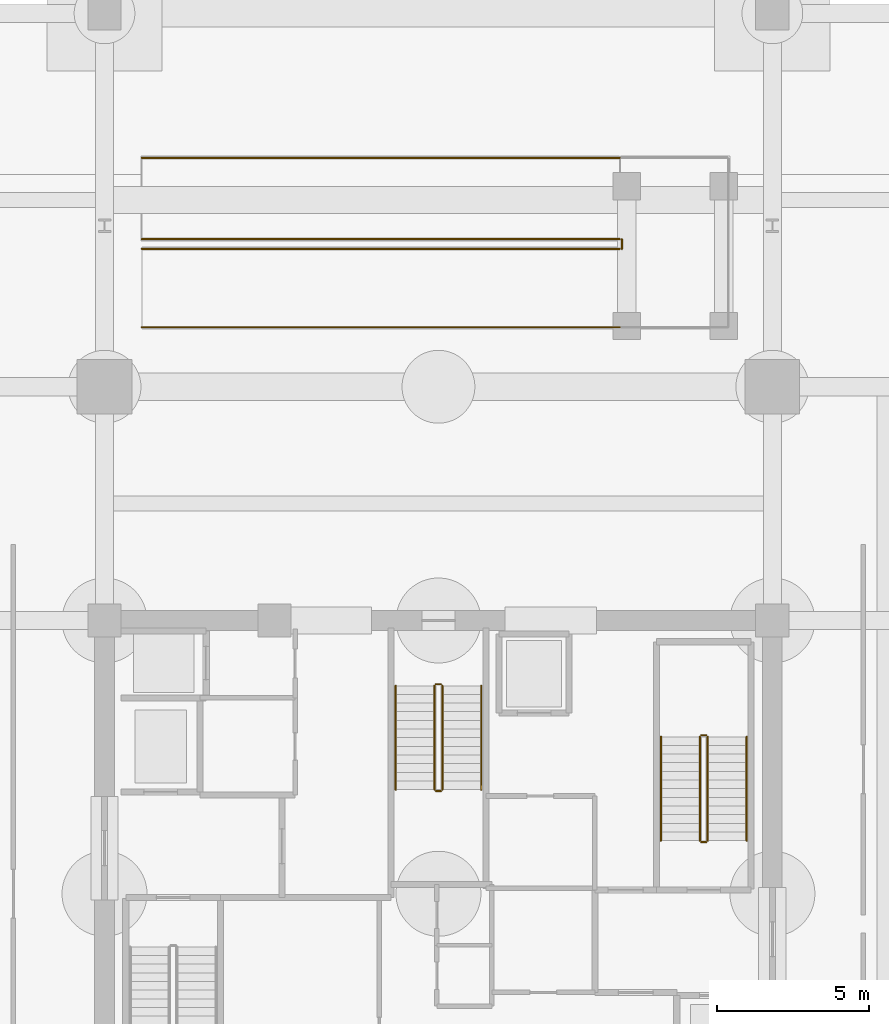
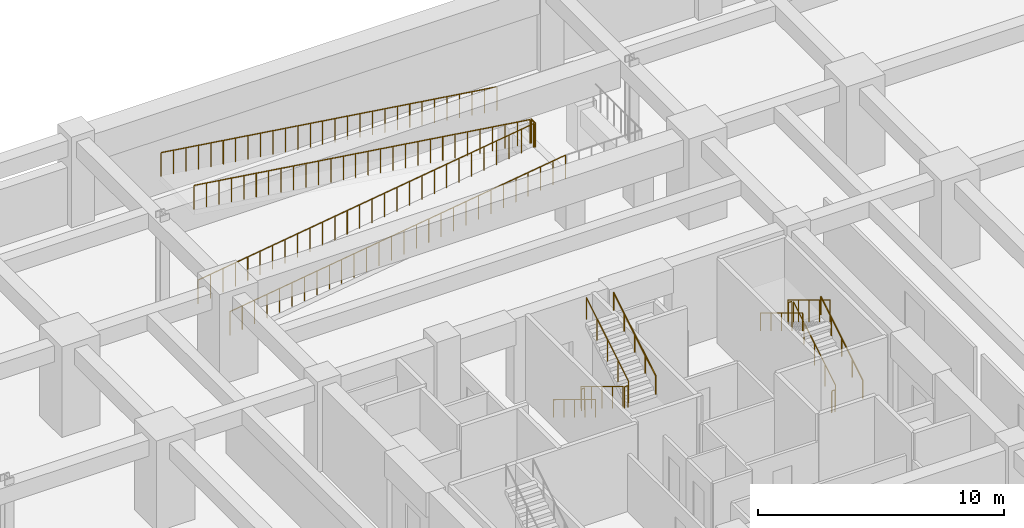
# One storey, part 14 of 17: 17 railings.
"""IFC4 building model written with IfcOpenShell, lengths in metres."""

import ifcopenshell
import ifcopenshell.guid

model = None  # the IFC model being written
_history = None  # IfcOwnerHistory: only IFC2X3 demands one
_inside = {}  # id of a spatial element -> (the spatial element, [elements in it])
_under = {}  # id of a project, library or spatial element -> (it, [spatial elements below it])
_declared = {}  # id of a project -> (the project, [libraries it declares])
_typed = {}  # id of a type object -> (the type object, [elements of that type])
_made_of = {}  # id of a material, layer set ... -> (it, [elements and type objects made of it])


def new_model(schema):
    """Start an empty IFC model of exactly this schema.

    Asked for "IFC4X3", IfcOpenShell would pick the latest addendum, in which some entities
    have other attributes; the version numbers below select the first issue.
    IFC2X3 requires an IfcOwnerHistory on every rooted entity: one is made here for all.
    """
    global model, _history
    if schema == "IFC4X3":
        model = ifcopenshell.file(schema_version=(4, 3, 0, 0))
    else:
        model = ifcopenshell.file(schema=schema)
    _inside.clear()
    _under.clear()
    _declared.clear()
    _typed.clear()
    _made_of.clear()
    _history = None
    if model.schema == "IFC2X3":
        org = make("IfcOrganization", Name="unknown")
        user = make(
            "IfcPersonAndOrganization",
            ThePerson=make("IfcPerson", FamilyName="unknown"),
            TheOrganization=org,
        )
        app = make(
            "IfcApplication",
            ApplicationDeveloper=org,
            Version="unknown",
            ApplicationFullName="unknown",
            ApplicationIdentifier="unknown",
        )
        _history = make(
            "IfcOwnerHistory",
            OwningUser=user,
            OwningApplication=app,
            ChangeAction="ADDED",
            CreationDate=0,
        )
    return model


def make(cls, **values):
    """One entity of the class cls with the attributes given. An attribute that is None is left unset."""
    return model.create_entity(
        cls, **{name: value for name, value in values.items() if value is not None}
    )


def rooted(cls, **values):
    """An entity with a GlobalId (a new one), such as an element, a storey or a relation."""
    return make(cls, GlobalId=ifcopenshell.guid.new(), OwnerHistory=_history, **values)


def si_unit(unit_type, name, prefix=None):
    """IfcSIUnit, for example si_unit("LENGTHUNIT", "METRE", prefix="MILLI")."""
    return make("IfcSIUnit", UnitType=unit_type, Prefix=prefix, Name=name)


def assignment(units):
    """IfcUnitAssignment: the units of a project."""
    return None if units is None else make("IfcUnitAssignment", Units=units)


def point(xyz):
    """IfcCartesianPoint."""
    return None if xyz is None else make("IfcCartesianPoint", Coordinates=xyz)


def direction(xyz):
    """IfcDirection."""
    return None if xyz is None else make("IfcDirection", DirectionRatios=xyz)


def frame(location, z_axis=None, x_axis=None):
    """IfcAxis2Placement3D, a coordinate frame: its origin and axes. An axis left out is left unset."""
    return make(
        "IfcAxis2Placement3D",
        Location=point(location),
        Axis=direction(z_axis),
        RefDirection=direction(x_axis),
    )


def frame_2d(location, x_axis=None):
    """IfcAxis2Placement2D, a coordinate frame in the plane: its origin and x axis."""
    return make(
        "IfcAxis2Placement2D", Location=point(location), RefDirection=direction(x_axis)
    )


def origin():
    """The frame at (0, 0, 0) with its axes left unset."""
    return frame((0.0, 0.0, 0.0))


def origin_2d():
    """The frame at (0, 0) in the plane with its x axis left unset."""
    return frame_2d((0.0, 0.0))


def place(relative_to, where):
    """IfcLocalPlacement: puts the frame where relative to a parent placement (None: the world)."""
    return make(
        "IfcLocalPlacement", PlacementRelTo=relative_to, RelativePlacement=where
    )


def context(
    kind, dimensions, precision=None, world=None, true_north=None, identifier=None
):
    """IfcGeometricRepresentationContext, for example the 3D "Model" context."""
    return make(
        "IfcGeometricRepresentationContext",
        ContextIdentifier=identifier,
        ContextType=kind,
        CoordinateSpaceDimension=dimensions,
        Precision=precision,
        WorldCoordinateSystem=world,
        TrueNorth=true_north,
    )


def subcontext(parent, identifier, kind, view, scale=None):
    """IfcGeometricRepresentationSubContext, for example "Body" below "Model"."""
    return make(
        "IfcGeometricRepresentationSubContext",
        ContextIdentifier=identifier,
        ContextType=kind,
        ParentContext=parent,
        TargetScale=scale,
        TargetView=view,
    )


def project(units=None, contexts=None):
    """IfcProject with its units and contexts."""
    return rooted(
        "IfcProject",
        Name="project",
        RepresentationContexts=contexts,
        UnitsInContext=assignment(units),
    )


def spatial(cls, under=None, at=None, **own):
    """A site, building, storey or space (cls), placed at a placement, below another one or the project."""
    s = rooted(cls, ObjectPlacement=at, **own)
    if under is not None:
        _under.setdefault(under.id(), (under, []))[1].append(s)
    return s


def profile(cls, at=None, kind="AREA", **sizes):
    """A parametric profile (cls). Its sizes go by their IFC names, for example OverallWidth=200.0."""
    return make(cls, ProfileType=kind, Position=at, **sizes)


def circle(**sizes):
    """IfcCircleProfileDef."""
    return profile("IfcCircleProfileDef", **sizes)


def extrude(swept, where, along, depth):
    """IfcExtrudedAreaSolid: the profile swept, set in the frame where, extruded along a direction by depth."""
    return make(
        "IfcExtrudedAreaSolid",
        SweptArea=swept,
        Position=where,
        ExtrudedDirection=direction(along),
        Depth=depth,
    )


def shape(context_of_items, identifier, shape_type, items):
    """IfcShapeRepresentation: the items that make up one representation, for example the "Body"."""
    return make(
        "IfcShapeRepresentation",
        ContextOfItems=context_of_items,
        RepresentationIdentifier=identifier,
        RepresentationType=shape_type,
        Items=items,
    )


def material(Name=None, Category=None):
    """IfcMaterial."""
    return make("IfcMaterial", Name=Name, Category=Category)


def made_of(thing, what):
    """Note that an element or type object is made of a material, layer set ...; save() writes the relation."""
    if what is not None:
        _made_of.setdefault(what.id(), (what, []))[1].append(thing)
    return thing


def type_object(cls, material=None, **own):
    """A type object (cls), such as IfcWallType, which elements share."""
    return made_of(rooted(cls, **own), material)


def element(
    cls,
    number,
    at=None,
    inside=None,
    cuts=None,
    type_object=None,
    material=None,
    context=None,
    identifier="Body",
    shape_type=None,
    held_by="IfcProductDefinitionShape",
    body=None,
    shapes=None,
    **own,
):
    """One element of the class cls, such as IfcWall. Its Tag is "e" and its number.

    at: its placement. inside: the storey or other place that contains it. cuts: it is an
    opening in that element (IfcRelVoidsElement). A single representation is given by context,
    identifier, shape_type and body (its items); several are given by shapes. held_by: the class
    of the entity that holds the representations. save() writes the other relations.
    """
    e = rooted(cls, Tag="e%d" % number, ObjectPlacement=at, **own)
    if body is not None:
        shapes = [shape(context, identifier, shape_type, body)]
    if shapes is not None:
        e.Representation = make(held_by, Representations=shapes)
    if inside is not None:
        _inside.setdefault(inside.id(), (inside, []))[1].append(e)
    if cuts is not None:
        rooted(
            "IfcRelVoidsElement", RelatingBuildingElement=cuts, RelatedOpeningElement=e
        )
    if type_object is not None:
        _typed.setdefault(type_object.id(), (type_object, []))[1].append(e)
    return made_of(e, material)


def aggregate(whole, parts):
    """IfcRelAggregates: a whole, such as a stair, and the parts it consists of."""
    return rooted("IfcRelAggregates", RelatingObject=whole, RelatedObjects=parts)


def save(model, path):
    """Write the relations noted so far, then the file.

    IfcRelAggregates (storeys below a building ...), IfcRelContainedInSpatialStructure (elements
    in a storey), IfcRelDefinesByType, IfcRelAssociatesMaterial and IfcRelDeclares: one each for
    every whole, place, type object, material and project.
    """
    for whole, parts in _under.values():
        aggregate(whole, parts)
    for where, things in _inside.values():
        rooted(
            "IfcRelContainedInSpatialStructure",
            RelatedElements=things,
            RelatingStructure=where,
        )
    for kind, things in _typed.values():
        rooted("IfcRelDefinesByType", RelatedObjects=things, RelatingType=kind)
    for what, things in _made_of.values():
        rooted("IfcRelAssociatesMaterial", RelatedObjects=things, RelatingMaterial=what)
    for by, libraries in _declared.values():
        rooted("IfcRelDeclares", RelatingContext=by, RelatedDefinitions=libraries)
    model.write(path)


model = new_model("IFC4")

# Units and contexts
model_context = context("Model", 3, precision=1e-05, world=origin(), true_north=direction((0.0, 1.0)))
body_context = subcontext(model_context, "Body", "Model", "MODEL_VIEW")
ifc_project = project(units=[si_unit("LENGTHUNIT", "METRE"), si_unit("AREAUNIT", "SQUARE_METRE"), si_unit("VOLUMEUNIT", "CUBIC_METRE"), si_unit("PLANEANGLEUNIT", "RADIAN"), si_unit("MASSUNIT", "GRAM", prefix="KILO")], contexts=[model_context])

# Site, building, storey
site_placement = place(None, origin())
site = spatial("IfcSite", under=ifc_project, at=site_placement, CompositionType="ELEMENT")
building_placement = place(site_placement, origin())
building = spatial("IfcBuilding", under=site, at=building_placement, Name="Kovane Verandah Tower", CompositionType="ELEMENT")
storey_placement = place(building_placement, frame((0.0, 0.0, -9.0)))
storey = spatial("IfcBuildingStorey", under=building, at=storey_placement, Name="B2", CompositionType="ELEMENT", Elevation=-9.0)

# Railings
ifc_material_1 = material(Name="Pale-Champagne Stainless Steel and Glass Perimeter Guard", Category="steel")
railing_type_1 = type_object("IfcRailingType", Name="RL-GDN-1200", PredefinedType="GUARDRAIL", material=ifc_material_1)
railing_1_placement = place(storey_placement, frame((46.0400390625, 48.739990234375, 2.25)))
element("IfcRailing", 1, at=railing_1_placement, inside=storey, type_object=railing_type_1, Name="B2 Vehicle Ramp Landing Median Guard", PredefinedType="GUARDRAIL", context=body_context, shape_type="SweptSolid", body=[
    extrude(circle(Radius=0.02392578125, at=origin_2d()), frame((0.0, 0.0, 1.17578125), z_axis=(0.0, 1.0, 0.0), x_axis=(-1.0, 0.0, 0.0)), (0.0, 0.0, 1.0), 0.320068359375),
    extrude(circle(Radius=0.02099609375, at=origin_2d()), origin(), (0.0, 0.0, 1.0), 1.15185546875),
    extrude(circle(Radius=0.02099609375, at=origin_2d()), frame((0.0, 0.320068359375, 0.0)), (0.0, 0.0, 1.0), 1.15185546875),
])
railing_2_placement = place(storey_placement, frame((30.22998046875, 46.159912109375, 0.0)))
element("IfcRailing", 2, at=railing_2_placement, inside=storey, type_object=railing_type_1, Name="B2 Vehicle Ramp Sloped Kerb Guard F1S", PredefinedType="GUARDRAIL", context=body_context, shape_type="SweptSolid", body=[
    extrude(circle(Radius=0.02392578125, at=origin_2d()), frame((0.0, 0.0, 1.17578125), z_axis=(0.989936898832, 0.0, 0.141509492014), x_axis=(0.0, 1.0, 0.0)), (0.0, 0.0, 1.0), 15.89990234375),
    extrude(circle(Radius=0.02099609375, at=origin_2d()), origin(), (0.0, 0.0, 1.0), 1.15185546875),
    extrude(circle(Radius=0.02099609375, at=origin_2d()), frame((0.5830078125, 0.0, 0.083251953125)), (0.0, 0.0, 1.0), 1.15185546875),
    extrude(circle(Radius=0.02099609375, at=origin_2d()), frame((1.166015625, 0.0, 0.166748046875)), (0.0, 0.0, 1.0), 1.15185546875),
    extrude(circle(Radius=0.02099609375, at=origin_2d()), frame((1.748779296875, 0.0, 0.25)), (0.0, 0.0, 1.0), 1.15185546875),
    extrude(circle(Radius=0.02099609375, at=origin_2d()), frame((2.331787109375, 0.0, 0.333251953125)), (0.0, 0.0, 1.0), 1.15185546875),
    extrude(circle(Radius=0.02099609375, at=origin_2d()), frame((2.914794921875, 0.0, 0.416748046875)), (0.0, 0.0, 1.0), 1.15185546875),
    extrude(circle(Radius=0.02099609375, at=origin_2d()), frame((3.497802734375, 0.0, 0.5)), (0.0, 0.0, 1.0), 1.15185546875),
    extrude(circle(Radius=0.02099609375, at=origin_2d()), frame((4.080810546875, 0.0, 0.583251953125)), (0.0, 0.0, 1.0), 1.15185546875),
    extrude(circle(Radius=0.02099609375, at=origin_2d()), frame((4.663818359375, 0.0, 0.666748046875)), (0.0, 0.0, 1.0), 1.15185546875),
    extrude(circle(Radius=0.02099609375, at=origin_2d()), frame((5.24658203125, 0.0, 0.75)), (0.0, 0.0, 1.0), 1.15185546875),
    extrude(circle(Radius=0.02099609375, at=origin_2d()), frame((5.82958984375, 0.0, 0.833251953125)), (0.0, 0.0, 1.0), 1.15185546875),
    extrude(circle(Radius=0.02099609375, at=origin_2d()), frame((6.41259765625, 0.0, 0.916748046875)), (0.0, 0.0, 1.0), 1.15185546875),
    extrude(circle(Radius=0.02099609375, at=origin_2d()), frame((6.99560546875, 0.0, 1.0)), (0.0, 0.0, 1.0), 1.15185546875),
    extrude(circle(Radius=0.02099609375, at=origin_2d()), frame((7.57861328125, 0.0, 1.083251953125)), (0.0, 0.0, 1.0), 1.15185546875),
    extrude(circle(Radius=0.02099609375, at=origin_2d()), frame((8.161376953125, 0.0, 1.166748046875)), (0.0, 0.0, 1.0), 1.15185546875),
    extrude(circle(Radius=0.02099609375, at=origin_2d()), frame((8.744384765625, 0.0, 1.25)), (0.0, 0.0, 1.0), 1.15185546875),
    extrude(circle(Radius=0.02099609375, at=origin_2d()), frame((9.327392578125, 0.0, 1.333251953125)), (0.0, 0.0, 1.0), 1.15185546875),
    extrude(circle(Radius=0.02099609375, at=origin_2d()), frame((9.910400390625, 0.0, 1.416748046875)), (0.0, 0.0, 1.0), 1.15185546875),
    extrude(circle(Radius=0.02099609375, at=origin_2d()), frame((10.493408203125, 0.0, 1.5)), (0.0, 0.0, 1.0), 1.15185546875),
    extrude(circle(Radius=0.02099609375, at=origin_2d()), frame((11.076171875, 0.0, 1.583251953125)), (0.0, 0.0, 1.0), 1.15185546875),
    extrude(circle(Radius=0.02099609375, at=origin_2d()), frame((11.6591796875, 0.0, 1.666748046875)), (0.0, 0.0, 1.0), 1.15185546875),
    extrude(circle(Radius=0.02099609375, at=origin_2d()), frame((12.2421875, 0.0, 1.75)), (0.0, 0.0, 1.0), 1.15185546875),
    extrude(circle(Radius=0.02099609375, at=origin_2d()), frame((12.8251953125, 0.0, 1.833251953125)), (0.0, 0.0, 1.0), 1.15185546875),
    extrude(circle(Radius=0.02099609375, at=origin_2d()), frame((13.408203125, 0.0, 1.916748046875)), (0.0, 0.0, 1.0), 1.15185546875),
    extrude(circle(Radius=0.02099609375, at=origin_2d()), frame((13.9912109375, 0.0, 2.0)), (0.0, 0.0, 1.0), 1.15185546875),
    extrude(circle(Radius=0.02099609375, at=origin_2d()), frame((14.573974609375, 0.0, 2.083251953125)), (0.0, 0.0, 1.0), 1.15185546875),
    extrude(circle(Radius=0.02099609375, at=origin_2d()), frame((15.156982421875, 0.0, 2.166748046875)), (0.0, 0.0, 1.0), 1.15185546875),
    extrude(circle(Radius=0.02099609375, at=origin_2d()), frame((15.739990234375, 0.0, 2.25)), (0.0, 0.0, 1.0), 1.15185546875),
])
railing_3_placement = place(storey_placement, frame((30.22998046875, 48.739990234375, 0.0)))
element("IfcRailing", 3, at=railing_3_placement, inside=storey, type_object=railing_type_1, Name="B2 Vehicle Ramp Sloped Kerb Guard F1N", PredefinedType="GUARDRAIL", context=body_context, shape_type="SweptSolid", body=[
    extrude(circle(Radius=0.02392578125, at=origin_2d()), frame((0.0, 0.0, 1.17578125), z_axis=(0.989936898832, 0.0, 0.141509492014), x_axis=(0.0, 1.0, 0.0)), (0.0, 0.0, 1.0), 15.89990234375),
    extrude(circle(Radius=0.02099609375, at=origin_2d()), origin(), (0.0, 0.0, 1.0), 1.15185546875),
    extrude(circle(Radius=0.02099609375, at=origin_2d()), frame((0.5830078125, 0.0, 0.083251953125)), (0.0, 0.0, 1.0), 1.15185546875),
    extrude(circle(Radius=0.02099609375, at=origin_2d()), frame((1.166015625, 0.0, 0.166748046875)), (0.0, 0.0, 1.0), 1.15185546875),
    extrude(circle(Radius=0.02099609375, at=origin_2d()), frame((1.748779296875, 0.0, 0.25)), (0.0, 0.0, 1.0), 1.15185546875),
    extrude(circle(Radius=0.02099609375, at=origin_2d()), frame((2.331787109375, 0.0, 0.333251953125)), (0.0, 0.0, 1.0), 1.15185546875),
    extrude(circle(Radius=0.02099609375, at=origin_2d()), frame((2.914794921875, 0.0, 0.416748046875)), (0.0, 0.0, 1.0), 1.15185546875),
    extrude(circle(Radius=0.02099609375, at=origin_2d()), frame((3.497802734375, 0.0, 0.5)), (0.0, 0.0, 1.0), 1.15185546875),
    extrude(circle(Radius=0.02099609375, at=origin_2d()), frame((4.080810546875, 0.0, 0.583251953125)), (0.0, 0.0, 1.0), 1.15185546875),
    extrude(circle(Radius=0.02099609375, at=origin_2d()), frame((4.663818359375, 0.0, 0.666748046875)), (0.0, 0.0, 1.0), 1.15185546875),
    extrude(circle(Radius=0.02099609375, at=origin_2d()), frame((5.24658203125, 0.0, 0.75)), (0.0, 0.0, 1.0), 1.15185546875),
    extrude(circle(Radius=0.02099609375, at=origin_2d()), frame((5.82958984375, 0.0, 0.833251953125)), (0.0, 0.0, 1.0), 1.15185546875),
    extrude(circle(Radius=0.02099609375, at=origin_2d()), frame((6.41259765625, 0.0, 0.916748046875)), (0.0, 0.0, 1.0), 1.15185546875),
    extrude(circle(Radius=0.02099609375, at=origin_2d()), frame((6.99560546875, 0.0, 1.0)), (0.0, 0.0, 1.0), 1.15185546875),
    extrude(circle(Radius=0.02099609375, at=origin_2d()), frame((7.57861328125, 0.0, 1.083251953125)), (0.0, 0.0, 1.0), 1.15185546875),
    extrude(circle(Radius=0.02099609375, at=origin_2d()), frame((8.161376953125, 0.0, 1.166748046875)), (0.0, 0.0, 1.0), 1.15185546875),
    extrude(circle(Radius=0.02099609375, at=origin_2d()), frame((8.744384765625, 0.0, 1.25)), (0.0, 0.0, 1.0), 1.15185546875),
    extrude(circle(Radius=0.02099609375, at=origin_2d()), frame((9.327392578125, 0.0, 1.333251953125)), (0.0, 0.0, 1.0), 1.15185546875),
    extrude(circle(Radius=0.02099609375, at=origin_2d()), frame((9.910400390625, 0.0, 1.416748046875)), (0.0, 0.0, 1.0), 1.15185546875),
    extrude(circle(Radius=0.02099609375, at=origin_2d()), frame((10.493408203125, 0.0, 1.5)), (0.0, 0.0, 1.0), 1.15185546875),
    extrude(circle(Radius=0.02099609375, at=origin_2d()), frame((11.076171875, 0.0, 1.583251953125)), (0.0, 0.0, 1.0), 1.15185546875),
    extrude(circle(Radius=0.02099609375, at=origin_2d()), frame((11.6591796875, 0.0, 1.666748046875)), (0.0, 0.0, 1.0), 1.15185546875),
    extrude(circle(Radius=0.02099609375, at=origin_2d()), frame((12.2421875, 0.0, 1.75)), (0.0, 0.0, 1.0), 1.15185546875),
    extrude(circle(Radius=0.02099609375, at=origin_2d()), frame((12.8251953125, 0.0, 1.833251953125)), (0.0, 0.0, 1.0), 1.15185546875),
    extrude(circle(Radius=0.02099609375, at=origin_2d()), frame((13.408203125, 0.0, 1.916748046875)), (0.0, 0.0, 1.0), 1.15185546875),
    extrude(circle(Radius=0.02099609375, at=origin_2d()), frame((13.9912109375, 0.0, 2.0)), (0.0, 0.0, 1.0), 1.15185546875),
    extrude(circle(Radius=0.02099609375, at=origin_2d()), frame((14.573974609375, 0.0, 2.083251953125)), (0.0, 0.0, 1.0), 1.15185546875),
    extrude(circle(Radius=0.02099609375, at=origin_2d()), frame((15.156982421875, 0.0, 2.166748046875)), (0.0, 0.0, 1.0), 1.15185546875),
    extrude(circle(Radius=0.02099609375, at=origin_2d()), frame((15.739990234375, 0.0, 2.25)), (0.0, 0.0, 1.0), 1.15185546875),
])
railing_4_placement = place(storey_placement, frame((30.22998046875, 49.06005859375, 4.5)))
element("IfcRailing", 4, at=railing_4_placement, inside=storey, type_object=railing_type_1, Name="B2 Vehicle Ramp Sloped Kerb Guard F2S", PredefinedType="GUARDRAIL", context=body_context, shape_type="SweptSolid", body=[
    extrude(circle(Radius=0.02392578125, at=origin_2d()), frame((0.0, 0.0, 1.17578125), z_axis=(0.989936898832, 0.0, -0.141509492014), x_axis=(0.0, 1.0, 0.0)), (0.0, 0.0, 1.0), 15.89990234375),
    extrude(circle(Radius=0.02099609375, at=origin_2d()), origin(), (0.0, 0.0, 1.0), 1.15185546875),
    extrude(circle(Radius=0.02099609375, at=origin_2d()), frame((0.5830078125, 0.0, -0.083251953125)), (0.0, 0.0, 1.0), 1.15185546875),
    extrude(circle(Radius=0.02099609375, at=origin_2d()), frame((1.166015625, 0.0, -0.166748046875)), (0.0, 0.0, 1.0), 1.15185546875),
    extrude(circle(Radius=0.02099609375, at=origin_2d()), frame((1.748779296875, 0.0, -0.25)), (0.0, 0.0, 1.0), 1.15185546875),
    extrude(circle(Radius=0.02099609375, at=origin_2d()), frame((2.331787109375, 0.0, -0.333251953125)), (0.0, 0.0, 1.0), 1.15185546875),
    extrude(circle(Radius=0.02099609375, at=origin_2d()), frame((2.914794921875, 0.0, -0.416748046875)), (0.0, 0.0, 1.0), 1.15185546875),
    extrude(circle(Radius=0.02099609375, at=origin_2d()), frame((3.497802734375, 0.0, -0.5)), (0.0, 0.0, 1.0), 1.15185546875),
    extrude(circle(Radius=0.02099609375, at=origin_2d()), frame((4.080810546875, 0.0, -0.583251953125)), (0.0, 0.0, 1.0), 1.15185546875),
    extrude(circle(Radius=0.02099609375, at=origin_2d()), frame((4.663818359375, 0.0, -0.666748046875)), (0.0, 0.0, 1.0), 1.15185546875),
    extrude(circle(Radius=0.02099609375, at=origin_2d()), frame((5.24658203125, 0.0, -0.75)), (0.0, 0.0, 1.0), 1.15185546875),
    extrude(circle(Radius=0.02099609375, at=origin_2d()), frame((5.82958984375, 0.0, -0.833251953125)), (0.0, 0.0, 1.0), 1.15185546875),
    extrude(circle(Radius=0.02099609375, at=origin_2d()), frame((6.41259765625, 0.0, -0.916748046875)), (0.0, 0.0, 1.0), 1.15185546875),
    extrude(circle(Radius=0.02099609375, at=origin_2d()), frame((6.99560546875, 0.0, -1.0)), (0.0, 0.0, 1.0), 1.15185546875),
    extrude(circle(Radius=0.02099609375, at=origin_2d()), frame((7.57861328125, 0.0, -1.083251953125)), (0.0, 0.0, 1.0), 1.15185546875),
    extrude(circle(Radius=0.02099609375, at=origin_2d()), frame((8.161376953125, 0.0, -1.166748046875)), (0.0, 0.0, 1.0), 1.15185546875),
    extrude(circle(Radius=0.02099609375, at=origin_2d()), frame((8.744384765625, 0.0, -1.25)), (0.0, 0.0, 1.0), 1.15185546875),
    extrude(circle(Radius=0.02099609375, at=origin_2d()), frame((9.327392578125, 0.0, -1.333251953125)), (0.0, 0.0, 1.0), 1.15185546875),
    extrude(circle(Radius=0.02099609375, at=origin_2d()), frame((9.910400390625, 0.0, -1.416748046875)), (0.0, 0.0, 1.0), 1.15185546875),
    extrude(circle(Radius=0.02099609375, at=origin_2d()), frame((10.493408203125, 0.0, -1.5)), (0.0, 0.0, 1.0), 1.15185546875),
    extrude(circle(Radius=0.02099609375, at=origin_2d()), frame((11.076171875, 0.0, -1.583251953125)), (0.0, 0.0, 1.0), 1.15185546875),
    extrude(circle(Radius=0.02099609375, at=origin_2d()), frame((11.6591796875, 0.0, -1.666748046875)), (0.0, 0.0, 1.0), 1.15185546875),
    extrude(circle(Radius=0.02099609375, at=origin_2d()), frame((12.2421875, 0.0, -1.75)), (0.0, 0.0, 1.0), 1.15185546875),
    extrude(circle(Radius=0.02099609375, at=origin_2d()), frame((12.8251953125, 0.0, -1.833251953125)), (0.0, 0.0, 1.0), 1.15185546875),
    extrude(circle(Radius=0.02099609375, at=origin_2d()), frame((13.408203125, 0.0, -1.916748046875)), (0.0, 0.0, 1.0), 1.15185546875),
    extrude(circle(Radius=0.02099609375, at=origin_2d()), frame((13.9912109375, 0.0, -2.0)), (0.0, 0.0, 1.0), 1.15185546875),
    extrude(circle(Radius=0.02099609375, at=origin_2d()), frame((14.573974609375, 0.0, -2.083251953125)), (0.0, 0.0, 1.0), 1.15185546875),
    extrude(circle(Radius=0.02099609375, at=origin_2d()), frame((15.156982421875, 0.0, -2.166748046875)), (0.0, 0.0, 1.0), 1.15185546875),
    extrude(circle(Radius=0.02099609375, at=origin_2d()), frame((15.739990234375, 0.0, -2.25)), (0.0, 0.0, 1.0), 1.15185546875),
])
railing_5_placement = place(storey_placement, frame((30.22998046875, 51.739990234375, 4.5)))
element("IfcRailing", 5, at=railing_5_placement, inside=storey, type_object=railing_type_1, Name="B2 Vehicle Ramp Sloped Kerb Guard F2N", PredefinedType="GUARDRAIL", context=body_context, shape_type="SweptSolid", body=[
    extrude(circle(Radius=0.02392578125, at=origin_2d()), frame((0.0, 0.0, 1.17578125), z_axis=(0.989936898832, 0.0, -0.141509492014), x_axis=(0.0, 1.0, 0.0)), (0.0, 0.0, 1.0), 15.89990234375),
    extrude(circle(Radius=0.02099609375, at=origin_2d()), origin(), (0.0, 0.0, 1.0), 1.15185546875),
    extrude(circle(Radius=0.02099609375, at=origin_2d()), frame((0.5830078125, 0.0, -0.083251953125)), (0.0, 0.0, 1.0), 1.15185546875),
    extrude(circle(Radius=0.02099609375, at=origin_2d()), frame((1.166015625, 0.0, -0.166748046875)), (0.0, 0.0, 1.0), 1.15185546875),
    extrude(circle(Radius=0.02099609375, at=origin_2d()), frame((1.748779296875, 0.0, -0.25)), (0.0, 0.0, 1.0), 1.15185546875),
    extrude(circle(Radius=0.02099609375, at=origin_2d()), frame((2.331787109375, 0.0, -0.333251953125)), (0.0, 0.0, 1.0), 1.15185546875),
    extrude(circle(Radius=0.02099609375, at=origin_2d()), frame((2.914794921875, 0.0, -0.416748046875)), (0.0, 0.0, 1.0), 1.15185546875),
    extrude(circle(Radius=0.02099609375, at=origin_2d()), frame((3.497802734375, 0.0, -0.5)), (0.0, 0.0, 1.0), 1.15185546875),
    extrude(circle(Radius=0.02099609375, at=origin_2d()), frame((4.080810546875, 0.0, -0.583251953125)), (0.0, 0.0, 1.0), 1.15185546875),
    extrude(circle(Radius=0.02099609375, at=origin_2d()), frame((4.663818359375, 0.0, -0.666748046875)), (0.0, 0.0, 1.0), 1.15185546875),
    extrude(circle(Radius=0.02099609375, at=origin_2d()), frame((5.24658203125, 0.0, -0.75)), (0.0, 0.0, 1.0), 1.15185546875),
    extrude(circle(Radius=0.02099609375, at=origin_2d()), frame((5.82958984375, 0.0, -0.833251953125)), (0.0, 0.0, 1.0), 1.15185546875),
    extrude(circle(Radius=0.02099609375, at=origin_2d()), frame((6.41259765625, 0.0, -0.916748046875)), (0.0, 0.0, 1.0), 1.15185546875),
    extrude(circle(Radius=0.02099609375, at=origin_2d()), frame((6.99560546875, 0.0, -1.0)), (0.0, 0.0, 1.0), 1.15185546875),
    extrude(circle(Radius=0.02099609375, at=origin_2d()), frame((7.57861328125, 0.0, -1.083251953125)), (0.0, 0.0, 1.0), 1.15185546875),
    extrude(circle(Radius=0.02099609375, at=origin_2d()), frame((8.161376953125, 0.0, -1.166748046875)), (0.0, 0.0, 1.0), 1.15185546875),
    extrude(circle(Radius=0.02099609375, at=origin_2d()), frame((8.744384765625, 0.0, -1.25)), (0.0, 0.0, 1.0), 1.15185546875),
    extrude(circle(Radius=0.02099609375, at=origin_2d()), frame((9.327392578125, 0.0, -1.333251953125)), (0.0, 0.0, 1.0), 1.15185546875),
    extrude(circle(Radius=0.02099609375, at=origin_2d()), frame((9.910400390625, 0.0, -1.416748046875)), (0.0, 0.0, 1.0), 1.15185546875),
    extrude(circle(Radius=0.02099609375, at=origin_2d()), frame((10.493408203125, 0.0, -1.5)), (0.0, 0.0, 1.0), 1.15185546875),
    extrude(circle(Radius=0.02099609375, at=origin_2d()), frame((11.076171875, 0.0, -1.583251953125)), (0.0, 0.0, 1.0), 1.15185546875),
    extrude(circle(Radius=0.02099609375, at=origin_2d()), frame((11.6591796875, 0.0, -1.666748046875)), (0.0, 0.0, 1.0), 1.15185546875),
    extrude(circle(Radius=0.02099609375, at=origin_2d()), frame((12.2421875, 0.0, -1.75)), (0.0, 0.0, 1.0), 1.15185546875),
    extrude(circle(Radius=0.02099609375, at=origin_2d()), frame((12.8251953125, 0.0, -1.833251953125)), (0.0, 0.0, 1.0), 1.15185546875),
    extrude(circle(Radius=0.02099609375, at=origin_2d()), frame((13.408203125, 0.0, -1.916748046875)), (0.0, 0.0, 1.0), 1.15185546875),
    extrude(circle(Radius=0.02099609375, at=origin_2d()), frame((13.9912109375, 0.0, -2.0)), (0.0, 0.0, 1.0), 1.15185546875),
    extrude(circle(Radius=0.02099609375, at=origin_2d()), frame((14.573974609375, 0.0, -2.083251953125)), (0.0, 0.0, 1.0), 1.15185546875),
    extrude(circle(Radius=0.02099609375, at=origin_2d()), frame((15.156982421875, 0.0, -2.166748046875)), (0.0, 0.0, 1.0), 1.15185546875),
    extrude(circle(Radius=0.02099609375, at=origin_2d()), frame((15.739990234375, 0.0, -2.25)), (0.0, 0.0, 1.0), 1.15185546875),
])
ifc_material_2 = material(Name="Brushed Stainless Steel Handrail", Category="steel")
railing_type_2 = type_object("IfcRailingType", Name="RL-HAND-920", PredefinedType="HANDRAIL", material=ifc_material_2)
railing_6_placement = place(storey_placement, frame((50.14990234375, 29.25, 0.173095703125)))
element("IfcRailing", 6, at=railing_6_placement, inside=storey, type_object=railing_type_2, Name="B2 ST-02 stair handrail 1", PredefinedType="HANDRAIL", context=body_context, shape_type="SweptSolid", body=[
    extrude(circle(Radius=0.02392578125, at=origin_2d()), frame((0.0, 0.0, 0.8759765625), z_axis=(0.0, 0.854729506542, 0.519073665916), x_axis=(-1.0, 0.0, 0.0)), (0.0, 0.0, 1.0), 4.001220703125),
    extrude(circle(Radius=0.02099609375, at=origin_2d()), origin(), (0.0, 0.0, 1.0), 0.851806640625),
    extrude(circle(Radius=0.02099609375, at=origin_2d()), frame((0.0, 0.85498046875, 0.519287109375)), (0.0, 0.0, 1.0), 0.851806640625),
    extrude(circle(Radius=0.02099609375, at=origin_2d()), frame((0.0, 1.7099609375, 1.03857421875)), (0.0, 0.0, 1.0), 0.851806640625),
    extrude(circle(Radius=0.02099609375, at=origin_2d()), frame((0.0, 2.56494140625, 1.5576171875)), (0.0, 0.0, 1.0), 0.851806640625),
    extrude(circle(Radius=0.02099609375, at=origin_2d()), frame((0.0, 3.419921875, 2.076904296875)), (0.0, 0.0, 1.0), 0.851806640625),
])
railing_7_placement = place(storey_placement, frame((47.330078125, 32.669921875, 2.423095703125)))
element("IfcRailing", 7, at=railing_7_placement, inside=storey, type_object=railing_type_2, Name="B2 ST-02 stair handrail 2", PredefinedType="HANDRAIL", context=body_context, shape_type="SweptSolid", body=[
    extrude(circle(Radius=0.02392578125, at=origin_2d()), frame((0.0, 0.0, 0.8759765625), z_axis=(0.0, -0.854729506542, 0.519073665916), x_axis=(1.0, 0.0, 0.0)), (0.0, 0.0, 1.0), 4.001220703125),
    extrude(circle(Radius=0.02099609375, at=origin_2d()), origin(), (0.0, 0.0, 1.0), 0.851806640625),
    extrude(circle(Radius=0.02099609375, at=origin_2d()), frame((0.0, -0.85498046875, 0.519287109375)), (0.0, 0.0, 1.0), 0.851806640625),
    extrude(circle(Radius=0.02099609375, at=origin_2d()), frame((0.0, -1.7099609375, 1.03857421875)), (0.0, 0.0, 1.0), 0.851806640625),
    extrude(circle(Radius=0.02099609375, at=origin_2d()), frame((0.0, -2.56494140625, 1.5576171875)), (0.0, 0.0, 1.0), 0.851806640625),
    extrude(circle(Radius=0.02099609375, at=origin_2d()), frame((0.0, -3.419921875, 2.076904296875)), (0.0, 0.0, 1.0), 0.851806640625),
])
railing_8_placement = place(storey_placement, frame((38.590087890625, 34.35009765625, 0.173095703125)))
element("IfcRailing", 8, at=railing_8_placement, inside=storey, type_object=railing_type_2, Name="B2 ST-03 stair handrail 1", PredefinedType="HANDRAIL", context=body_context, shape_type="SweptSolid", body=[
    extrude(circle(Radius=0.02392578125, at=origin_2d()), frame((0.0, 0.0, 0.8759765625), z_axis=(0.0, -0.854745945586, 0.519046595696), x_axis=(1.0, 0.0, 0.0)), (0.0, 0.0, 1.0), 4.00146484375),
    extrude(circle(Radius=0.02099609375, at=origin_2d()), origin(), (0.0, 0.0, 1.0), 0.851806640625),
    extrude(circle(Radius=0.02099609375, at=origin_2d()), frame((0.0, -0.85498046875, 0.519287109375)), (0.0, 0.0, 1.0), 0.851806640625),
    extrude(circle(Radius=0.02099609375, at=origin_2d()), frame((0.0, -1.7099609375, 1.03857421875)), (0.0, 0.0, 1.0), 0.851806640625),
    extrude(circle(Radius=0.02099609375, at=origin_2d()), frame((0.0, -2.565185546875, 1.5576171875)), (0.0, 0.0, 1.0), 0.851806640625),
    extrude(circle(Radius=0.02099609375, at=origin_2d()), frame((0.0, -3.420166015625, 2.076904296875)), (0.0, 0.0, 1.0), 0.851806640625),
])
railing_9_placement = place(storey_placement, frame((41.409912109375, 30.929931640625, 2.423095703125)))
element("IfcRailing", 9, at=railing_9_placement, inside=storey, type_object=railing_type_2, Name="B2 ST-03 stair handrail 2", PredefinedType="HANDRAIL", context=body_context, shape_type="SweptSolid", body=[
    extrude(circle(Radius=0.02392578125, at=origin_2d()), frame((0.0, 0.0, 0.8759765625), z_axis=(0.0, 0.854745945586, 0.519046595696), x_axis=(-1.0, 0.0, 0.0)), (0.0, 0.0, 1.0), 4.00146484375),
    extrude(circle(Radius=0.02099609375, at=origin_2d()), origin(), (0.0, 0.0, 1.0), 0.851806640625),
    extrude(circle(Radius=0.02099609375, at=origin_2d()), frame((0.0, 0.85498046875, 0.519287109375)), (0.0, 0.0, 1.0), 0.851806640625),
    extrude(circle(Radius=0.02099609375, at=origin_2d()), frame((0.0, 1.7099609375, 1.03857421875)), (0.0, 0.0, 1.0), 0.851806640625),
    extrude(circle(Radius=0.02099609375, at=origin_2d()), frame((0.0, 2.565185546875, 1.5576171875)), (0.0, 0.0, 1.0), 0.851806640625),
    extrude(circle(Radius=0.02099609375, at=origin_2d()), frame((0.0, 3.420166015625, 2.076904296875)), (0.0, 0.0, 1.0), 0.851806640625),
])
ifc_material_3 = material(Name="Painted Steel Stairwell Guardrail", Category="steel")
railing_type_3 = type_object("IfcRailingType", Name="RL-STGUARD-1120", PredefinedType="GUARDRAIL", material=ifc_material_3)
railing_10_placement = place(storey_placement, frame((48.8701171875, 29.25, 0.173095703125)))
element("IfcRailing", 10, at=railing_10_placement, inside=storey, type_object=railing_type_3, Name="B2 ST-02 stair guard 1", PredefinedType="GUARDRAIL", context=body_context, shape_type="SweptSolid", body=[
    extrude(circle(Radius=0.02392578125, at=origin_2d()), frame((0.0, 0.0, 1.076171875), z_axis=(0.0, 0.854729506542, 0.519073665916), x_axis=(-1.0, 0.0, 0.0)), (0.0, 0.0, 1.0), 4.001220703125),
    extrude(circle(Radius=0.02099609375, at=origin_2d()), origin(), (0.0, 0.0, 1.0), 1.052001953125),
    extrude(circle(Radius=0.02099609375, at=origin_2d()), frame((0.0, 0.85498046875, 0.519287109375)), (0.0, 0.0, 1.0), 1.052001953125),
    extrude(circle(Radius=0.02099609375, at=origin_2d()), frame((0.0, 1.7099609375, 1.03857421875)), (0.0, 0.0, 1.0), 1.052001953125),
    extrude(circle(Radius=0.02099609375, at=origin_2d()), frame((0.0, 2.56494140625, 1.5576171875)), (0.0, 0.0, 1.0), 1.052001953125),
    extrude(circle(Radius=0.02099609375, at=origin_2d()), frame((0.0, 3.419921875, 2.076904296875)), (0.0, 0.0, 1.0), 1.052001953125),
])
railing_11_placement = place(storey_placement, frame((48.820068359375, 32.719970703125, 2.25)))
element("IfcRailing", 11, at=railing_11_placement, inside=storey, type_object=railing_type_3, Name="B2 ST-02 stair guard 2", PredefinedType="GUARDRAIL", context=body_context, shape_type="SweptSolid", body=[
    extrude(circle(Radius=0.02392578125, at=origin_2d()), frame((0.0, 0.0, 1.076171875), z_axis=(-1.0, 0.0, 0.0), x_axis=(0.0, -1.0, 0.0)), (0.0, 0.0, 1.0), 0.16015625),
    extrude(circle(Radius=0.02099609375, at=origin_2d()), origin(), (0.0, 0.0, 1.0), 1.052001953125),
    extrude(circle(Radius=0.02099609375, at=origin_2d()), frame((-0.16015625, 0.0, 0.0)), (0.0, 0.0, 1.0), 1.052001953125),
])
railing_12_placement = place(storey_placement, frame((48.610107421875, 32.669921875, 2.423095703125)))
element("IfcRailing", 12, at=railing_12_placement, inside=storey, type_object=railing_type_3, Name="B2 ST-02 stair guard 3", PredefinedType="GUARDRAIL", context=body_context, shape_type="SweptSolid", body=[
    extrude(circle(Radius=0.02392578125, at=origin_2d()), frame((0.0, 0.0, 1.076171875), z_axis=(0.0, -0.854729506542, 0.519073665916), x_axis=(1.0, 0.0, 0.0)), (0.0, 0.0, 1.0), 4.001220703125),
    extrude(circle(Radius=0.02099609375, at=origin_2d()), origin(), (0.0, 0.0, 1.0), 1.052001953125),
    extrude(circle(Radius=0.02099609375, at=origin_2d()), frame((0.0, -0.85498046875, 0.519287109375)), (0.0, 0.0, 1.0), 1.052001953125),
    extrude(circle(Radius=0.02099609375, at=origin_2d()), frame((0.0, -1.7099609375, 1.03857421875)), (0.0, 0.0, 1.0), 1.052001953125),
    extrude(circle(Radius=0.02099609375, at=origin_2d()), frame((0.0, -2.56494140625, 1.5576171875)), (0.0, 0.0, 1.0), 1.052001953125),
    extrude(circle(Radius=0.02099609375, at=origin_2d()), frame((0.0, -3.419921875, 2.076904296875)), (0.0, 0.0, 1.0), 1.052001953125),
])
railing_13_placement = place(storey_placement, frame((48.820068359375, 29.199951171875, 0.0)))
element("IfcRailing", 13, at=railing_13_placement, inside=storey, type_object=railing_type_3, Name="B2 ST-02 stair guard 4", PredefinedType="GUARDRAIL", context=body_context, shape_type="SweptSolid", body=[
    extrude(circle(Radius=0.02392578125, at=origin_2d()), frame((0.0, 0.0, 1.076171875), z_axis=(-1.0, 0.0, 0.0), x_axis=(0.0, -1.0, 0.0)), (0.0, 0.0, 1.0), 0.16015625),
    extrude(circle(Radius=0.02099609375, at=origin_2d()), origin(), (0.0, 0.0, 1.0), 1.052001953125),
    extrude(circle(Radius=0.02099609375, at=origin_2d()), frame((-0.16015625, 0.0, 0.0)), (0.0, 0.0, 1.0), 1.052001953125),
])
railing_14_placement = place(storey_placement, frame((39.8701171875, 34.35009765625, 0.173095703125)))
element("IfcRailing", 14, at=railing_14_placement, inside=storey, type_object=railing_type_3, Name="B2 ST-03 stair guard 1", PredefinedType="GUARDRAIL", context=body_context, shape_type="SweptSolid", body=[
    extrude(circle(Radius=0.02392578125, at=origin_2d()), frame((0.0, 0.0, 1.076171875), z_axis=(0.0, -0.854745945586, 0.519046595696), x_axis=(1.0, 0.0, 0.0)), (0.0, 0.0, 1.0), 4.00146484375),
    extrude(circle(Radius=0.02099609375, at=origin_2d()), origin(), (0.0, 0.0, 1.0), 1.052001953125),
    extrude(circle(Radius=0.02099609375, at=origin_2d()), frame((0.0, -0.85498046875, 0.519287109375)), (0.0, 0.0, 1.0), 1.052001953125),
    extrude(circle(Radius=0.02099609375, at=origin_2d()), frame((0.0, -1.7099609375, 1.03857421875)), (0.0, 0.0, 1.0), 1.052001953125),
    extrude(circle(Radius=0.02099609375, at=origin_2d()), frame((0.0, -2.565185546875, 1.5576171875)), (0.0, 0.0, 1.0), 1.052001953125),
    extrude(circle(Radius=0.02099609375, at=origin_2d()), frame((0.0, -3.420166015625, 2.076904296875)), (0.0, 0.0, 1.0), 1.052001953125),
])
railing_15_placement = place(storey_placement, frame((39.919921875, 30.8798828125, 2.25)))
element("IfcRailing", 15, at=railing_15_placement, inside=storey, type_object=railing_type_3, Name="B2 ST-03 stair guard 2", PredefinedType="GUARDRAIL", context=body_context, shape_type="SweptSolid", body=[
    extrude(circle(Radius=0.02392578125, at=origin_2d()), frame((0.0, 0.0, 1.076171875), z_axis=(1.0, 0.0, 0.0), x_axis=(0.0, 1.0, 0.0)), (0.0, 0.0, 1.0), 0.16015625),
    extrude(circle(Radius=0.02099609375, at=origin_2d()), origin(), (0.0, 0.0, 1.0), 1.052001953125),
    extrude(circle(Radius=0.02099609375, at=origin_2d()), frame((0.16015625, 0.0, 0.0)), (0.0, 0.0, 1.0), 1.052001953125),
])
railing_16_placement = place(storey_placement, frame((40.1298828125, 30.929931640625, 2.423095703125)))
element("IfcRailing", 16, at=railing_16_placement, inside=storey, type_object=railing_type_3, Name="B2 ST-03 stair guard 3", PredefinedType="GUARDRAIL", context=body_context, shape_type="SweptSolid", body=[
    extrude(circle(Radius=0.02392578125, at=origin_2d()), frame((0.0, 0.0, 1.076171875), z_axis=(0.0, 0.854745945586, 0.519046595696), x_axis=(-1.0, 0.0, 0.0)), (0.0, 0.0, 1.0), 4.00146484375),
    extrude(circle(Radius=0.02099609375, at=origin_2d()), origin(), (0.0, 0.0, 1.0), 1.052001953125),
    extrude(circle(Radius=0.02099609375, at=origin_2d()), frame((0.0, 0.85498046875, 0.519287109375)), (0.0, 0.0, 1.0), 1.052001953125),
    extrude(circle(Radius=0.02099609375, at=origin_2d()), frame((0.0, 1.7099609375, 1.03857421875)), (0.0, 0.0, 1.0), 1.052001953125),
    extrude(circle(Radius=0.02099609375, at=origin_2d()), frame((0.0, 2.565185546875, 1.5576171875)), (0.0, 0.0, 1.0), 1.052001953125),
    extrude(circle(Radius=0.02099609375, at=origin_2d()), frame((0.0, 3.420166015625, 2.076904296875)), (0.0, 0.0, 1.0), 1.052001953125),
])
railing_17_placement = place(storey_placement, frame((39.919921875, 34.39990234375, 0.0)))
element("IfcRailing", 17, at=railing_17_placement, inside=storey, type_object=railing_type_3, Name="B2 ST-03 stair guard 4", PredefinedType="GUARDRAIL", context=body_context, shape_type="SweptSolid", body=[
    extrude(circle(Radius=0.02392578125, at=origin_2d()), frame((0.0, 0.0, 1.076171875), z_axis=(1.0, 0.0, 0.0), x_axis=(0.0, 1.0, 0.0)), (0.0, 0.0, 1.0), 0.16015625),
    extrude(circle(Radius=0.02099609375, at=origin_2d()), origin(), (0.0, 0.0, 1.0), 1.052001953125),
    extrude(circle(Radius=0.02099609375, at=origin_2d()), frame((0.16015625, 0.0, 0.0)), (0.0, 0.0, 1.0), 1.052001953125),
])

save(model, "model.ifc")
